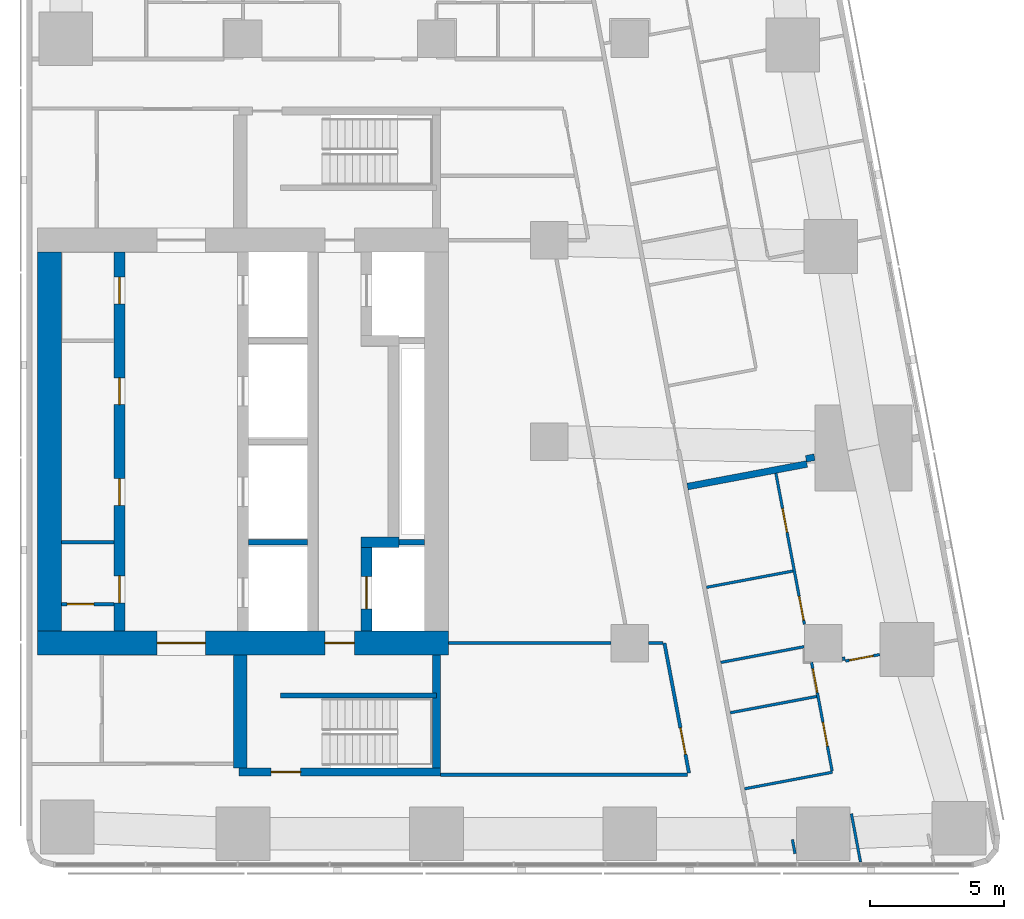
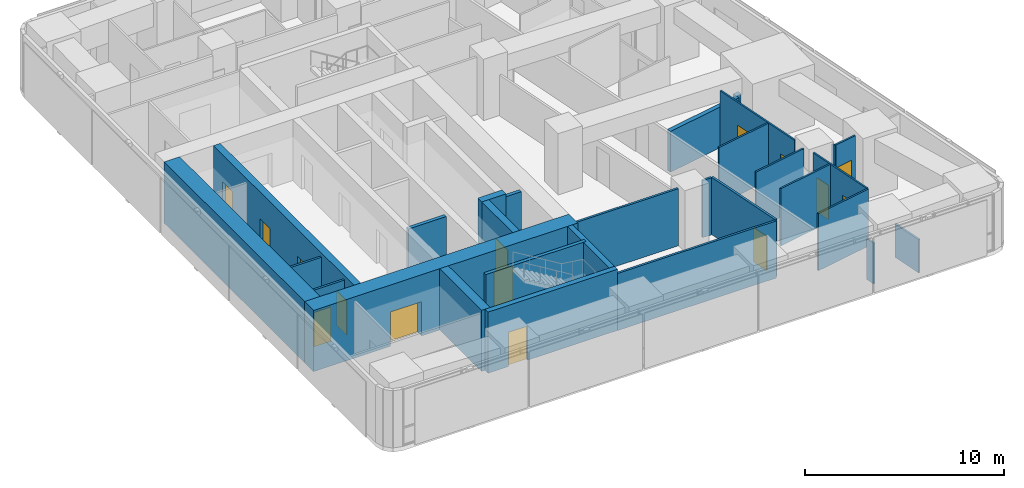
# One storey, part 5 of 10: 29 walls, 15 doors, 15 openings.
"""IFC4 building model written with IfcOpenShell, lengths in metres."""

from ifc_helpers import new_model, si_unit, direction, frame, frame_2d, origin, place, context, subcontext, project, spatial, rectangle, extrude, material, layer, layer_set, type_object, element, fill, save


model = new_model("IFC4")

# Units and contexts
model_context = context("Model", 3, precision=1e-05, world=origin(), true_north=direction((0.0, 1.0)))
body_context = subcontext(model_context, "Body", "Model", "MODEL_VIEW")
ifc_project = project(units=[si_unit("LENGTHUNIT", "METRE"), si_unit("AREAUNIT", "SQUARE_METRE"), si_unit("VOLUMEUNIT", "CUBIC_METRE"), si_unit("PLANEANGLEUNIT", "RADIAN"), si_unit("MASSUNIT", "GRAM", prefix="KILO")], contexts=[model_context])

# Site, building, storey
site_placement = place(None, origin())
site = spatial("IfcSite", under=ifc_project, at=site_placement, CompositionType="ELEMENT")
building_placement = place(site_placement, origin())
building = spatial("IfcBuilding", under=site, at=building_placement, Name="Sheger Commons Tower", CompositionType="ELEMENT")
storey_placement = place(building_placement, frame((0.0, 0.0, 285.35009765625)))
storey = spatial("IfcBuildingStorey", under=building, at=storey_placement, Name="L73", CompositionType="ELEMENT", Elevation=285.35009765625)

# Wall, openings, doors
ifc_material_1 = material(Name="Concrete C50/60", Category="concrete")
ifc_layer_1 = layer(ifc_material_1, 0.39990234375)
ifc_layer_set_1 = layer_set([ifc_layer_1], Name="CORE INNER WALL 400")
wall_type_1 = type_object("IfcWallType", Name="CORE INNER WALL 400", PredefinedType="SHEAR", material=ifc_layer_set_1)
wall_1_placement = place(storey_placement, frame((17.0, 15.449951171875, 0.0), z_axis=(0.0, 0.0, 1.0), x_axis=(0.0, 1.0, 0.0)))
wall_1 = element("IfcWall", 1, at=wall_1_placement, inside=storey, type_object=wall_type_1, Name="Core inner wall A L73", PredefinedType="SHEAR", context=body_context, shape_type="SweptSolid", body=[
    extrude(rectangle(XDim=14.10009765625, YDim=0.39990234375, at=frame_2d((7.050048828125, 0.0))), origin(), (0.0, 0.0, 1.0), 3.75),
])
opening_1_placement = place(wall_1_placement, frame((1.050048828125, 0.0, 0.0)))
opening_1 = element("IfcOpeningElement", 2, at=opening_1_placement, cuts=wall_1, Name="Opening D4", PredefinedType="OPENING", context=body_context, shape_type="SweptSolid", body=[
    extrude(rectangle(XDim=1.0, YDim=2.10009765625, at=frame_2d((0.5, 1.050048828125))), frame((0.0, 0.2099609375, 0.0), z_axis=(0.0, -1.0, 0.0), x_axis=(1.0, 0.0, 0.0)), (0.0, 0.0, 1.0), 0.419921875),
])
opening_2_placement = place(wall_1_placement, frame((4.675048828125, 0.0, 0.0)))
opening_2 = element("IfcOpeningElement", 3, at=opening_2_placement, cuts=wall_1, Name="Opening D4", PredefinedType="OPENING", context=body_context, shape_type="SweptSolid", body=[
    extrude(rectangle(XDim=1.0, YDim=2.10009765625, at=frame_2d((0.5, 1.050048828125))), frame((0.0, 0.2099609375, 0.0), z_axis=(0.0, -1.0, 0.0), x_axis=(1.0, 0.0, 0.0)), (0.0, 0.0, 1.0), 0.419921875),
])
opening_3_placement = place(wall_1_placement, frame((8.425048828125, 0.0, 0.0)))
opening_3 = element("IfcOpeningElement", 4, at=opening_3_placement, cuts=wall_1, Name="Opening D4", PredefinedType="OPENING", context=body_context, shape_type="SweptSolid", body=[
    extrude(rectangle(XDim=1.0, YDim=2.10009765625, at=frame_2d((0.5, 1.050048828125))), frame((0.0, 0.2099609375, 0.0), z_axis=(0.0, -1.0, 0.0), x_axis=(1.0, 0.0, 0.0)), (0.0, 0.0, 1.0), 0.419921875),
])
opening_4_placement = place(wall_1_placement, frame((12.175048828125, 0.0, 0.0)))
opening_4 = element("IfcOpeningElement", 5, at=opening_4_placement, cuts=wall_1, Name="Opening D4", PredefinedType="OPENING", context=body_context, shape_type="SweptSolid", body=[
    extrude(rectangle(XDim=1.0, YDim=2.10009765625, at=frame_2d((0.5, 1.050048828125))), frame((0.0, 0.2099609375, 0.0), z_axis=(0.0, -1.0, 0.0), x_axis=(1.0, 0.0, 0.0)), (0.0, 0.0, 1.0), 0.419921875),
])
ifc_material_2 = material(Name="Steel door set, fire rated", Category="steel")
door_type_1 = type_object("IfcDoorType", Name="SERVICE DOOR 1000x2100", OperationType="NOTDEFINED", PredefinedType="DOOR", material=ifc_material_2)
door_1_placement = place(opening_1_placement, origin())
door_1 = element("IfcDoor", 6, at=door_1_placement, inside=storey, type_object=door_type_1, Name="IT and telecom room door", OperationType="SINGLE_SWING_LEFT", OverallHeight=2.10009765625, OverallWidth=1.0, PredefinedType="DOOR", context=body_context, shape_type="SweptSolid", body=[
    extrude(rectangle(XDim=1.0, YDim=2.10009765625, at=frame_2d((0.5, 1.050048828125))), frame((0.0, 0.02490234375, 0.0), z_axis=(0.0, -1.0, 0.0), x_axis=(1.0, 0.0, 0.0)), (0.0, 0.0, 1.0), 0.050048828125),
])
fill(opening_1, door_1)
door_2_placement = place(opening_2_placement, origin())
door_2 = element("IfcDoor", 7, at=door_2_placement, inside=storey, type_object=door_type_1, Name="Recycling store door", OperationType="SINGLE_SWING_LEFT", OverallHeight=2.10009765625, OverallWidth=1.0, PredefinedType="DOOR", context=body_context, shape_type="SweptSolid", body=[
    extrude(rectangle(XDim=1.0, YDim=2.10009765625, at=frame_2d((0.5, 1.050048828125))), frame((0.0, 0.02490234375, 0.0), z_axis=(0.0, -1.0, 0.0), x_axis=(1.0, 0.0, 0.0)), (0.0, 0.0, 1.0), 0.050048828125),
])
fill(opening_2, door_2)
door_3_placement = place(opening_3_placement, origin())
door_3 = element("IfcDoor", 8, at=door_3_placement, inside=storey, type_object=door_type_1, Name="Recycling store door", OperationType="SINGLE_SWING_RIGHT", OverallHeight=2.10009765625, OverallWidth=1.0, PredefinedType="DOOR", context=body_context, shape_type="SweptSolid", body=[
    extrude(rectangle(XDim=1.0, YDim=2.10009765625, at=frame_2d((0.5, 1.050048828125))), frame((0.0, 0.02490234375, 0.0), z_axis=(0.0, -1.0, 0.0), x_axis=(1.0, 0.0, 0.0)), (0.0, 0.0, 1.0), 0.050048828125),
])
fill(opening_3, door_3)
door_4_placement = place(opening_4_placement, origin())
door_4 = element("IfcDoor", 9, at=door_4_placement, inside=storey, type_object=door_type_1, Name="Staff WC door", OperationType="SINGLE_SWING_RIGHT", OverallHeight=2.10009765625, OverallWidth=1.0, PredefinedType="DOOR", context=body_context, shape_type="SweptSolid", body=[
    extrude(rectangle(XDim=1.0, YDim=2.10009765625, at=frame_2d((0.5, 1.050048828125))), frame((0.0, 0.02490234375, 0.0), z_axis=(0.0, -1.0, 0.0), x_axis=(1.0, 0.0, 0.0)), (0.0, 0.0, 1.0), 0.050048828125),
])
fill(opening_4, door_4)

# Wall, opening, door
wall_2_placement = place(storey_placement, frame((26.199951171875, 15.449951171875, 0.0), z_axis=(0.0, 0.0, 1.0), x_axis=(0.0, 1.0, 0.0)))
wall_2 = element("IfcWall", 10, at=wall_2_placement, inside=storey, type_object=wall_type_1, Name="Core inner wall F L73", PredefinedType="SHEAR", context=body_context, shape_type="SweptSolid", body=[
    extrude(rectangle(XDim=3.10009765625, YDim=0.39990234375, at=frame_2d((1.550048828125, 0.0))), origin(), (0.0, 0.0, 1.0), 3.75),
])
opening_5_placement = place(wall_2_placement, frame((0.824951171875, 0.0, 0.0)))
opening_5 = element("IfcOpeningElement", 11, at=opening_5_placement, cuts=wall_2, Name="Opening LD2", PredefinedType="OPENING", context=body_context, shape_type="SweptSolid", body=[
    extrude(rectangle(XDim=1.199951171875, YDim=2.10009765625, at=frame_2d((0.60009765625, 1.050048828125))), frame((0.0, 0.2099609375, 0.0), z_axis=(0.0, -1.0, 0.0), x_axis=(1.0, 0.0, 0.0)), (0.0, 0.0, 1.0), 0.419921875),
])
ifc_material_3 = material(Name="Steel door set, fire rated", Category="steel")
door_type_2 = type_object("IfcDoorType", Name="FIREFIGHTING LIFT LANDING DOOR 1200x2100", OperationType="DOUBLE_DOOR_SLIDING", PredefinedType="DOOR", material=ifc_material_3)
door_5_placement = place(opening_5_placement, origin())
door_5 = element("IfcDoor", 12, at=door_5_placement, inside=storey, type_object=door_type_2, Name="Lift FL1 landing door", OperationType="DOUBLE_DOOR_SLIDING", OverallHeight=2.10009765625, OverallWidth=1.199951171875, PredefinedType="DOOR", context=body_context, shape_type="SweptSolid", body=[
    extrude(rectangle(XDim=1.199951171875, YDim=2.10009765625, at=frame_2d((0.60009765625, 1.050048828125))), frame((0.0, 0.02490234375, 0.0), z_axis=(0.0, -1.0, 0.0), x_axis=(1.0, 0.0, 0.0)), (0.0, 0.0, 1.0), 0.050048828125),
])
fill(opening_5, door_5)

# Wall
wall_3_placement = place(storey_placement, frame((26.0, 18.75, 0.0), z_axis=(0.0, 0.0, 1.0), x_axis=(1.0, 0.0, 0.0)))
element("IfcWall", 13, at=wall_3_placement, inside=storey, type_object=wall_type_1, Name="Core inner wall F south return L73", PredefinedType="SHEAR", context=body_context, shape_type="SweptSolid", body=[
    extrude(rectangle(XDim=1.39990234375, YDim=0.39990234375, at=frame_2d((0.699951171875, 0.0))), origin(), (0.0, 0.0, 1.0), 3.75),
])

# Wall, openings, doors
ifc_material_4 = material(Name="Concrete C50/60", Category="concrete")
ifc_layer_2 = layer(ifc_material_4, 0.89990234375)
ifc_layer_set_2 = layer_set([ifc_layer_2], Name="CORE WALL 900")
wall_type_2 = type_object("IfcWallType", Name="CORE WALL 900", PredefinedType="SHEAR", material=ifc_layer_set_2)
wall_4_placement = place(storey_placement, frame((13.949951171875, 15.0, 0.0), z_axis=(0.0, 0.0, 1.0), x_axis=(1.0, 0.0, 0.0)))
wall_4 = element("IfcWall", 14, at=wall_4_placement, inside=storey, type_object=wall_type_2, Name="Core wall south L73", PredefinedType="SHEAR", context=body_context, shape_type="SweptSolid", body=[
    extrude(rectangle(XDim=15.300048828125, YDim=0.89990234375, at=frame_2d((7.64990234375, 0.0))), origin(), (0.0, 0.0, 1.0), 3.75),
])
opening_6_placement = place(wall_4_placement, frame((4.449951171875, 0.0, 0.0)))
opening_6 = element("IfcOpeningElement", 15, at=opening_6_placement, cuts=wall_4, Name="Opening D6", PredefinedType="OPENING", context=body_context, shape_type="SweptSolid", body=[
    extrude(rectangle(XDim=1.800048828125, YDim=2.10009765625, at=frame_2d((0.89990234375, 1.050048828125))), frame((0.0, 0.4599609375, 0.0), z_axis=(0.0, -1.0, 0.0), x_axis=(1.0, 0.0, 0.0)), (0.0, 0.0, 1.0), 0.919921875),
])
opening_7_placement = place(wall_4_placement, frame((10.699951171875, 0.0, 0.0)))
opening_7 = element("IfcOpeningElement", 16, at=opening_7_placement, cuts=wall_4, Name="Opening D5", PredefinedType="OPENING", context=body_context, shape_type="SweptSolid", body=[
    extrude(rectangle(XDim=1.10009765625, YDim=2.10009765625, at=frame_2d((0.550048828125, 1.050048828125))), frame((0.0, 0.4599609375, 0.0), z_axis=(0.0, -1.0, 0.0), x_axis=(1.0, 0.0, 0.0)), (0.0, 0.0, 1.0), 0.919921875),
])
ifc_material_5 = material(Name="Steel door set, fire rated", Category="steel")
door_type_3 = type_object("IfcDoorType", Name="LOBBY DOUBLE DOOR 1800x2100", OperationType="DOUBLE_DOOR_SINGLE_SWING", PredefinedType="DOOR", material=ifc_material_5)
door_6_placement = place(opening_6_placement, origin())
door_6 = element("IfcDoor", 17, at=door_6_placement, inside=storey, type_object=door_type_3, Name="Lift lobby door", OperationType="DOUBLE_DOOR_SINGLE_SWING", OverallHeight=2.10009765625, OverallWidth=1.800048828125, PredefinedType="DOOR", context=body_context, shape_type="SweptSolid", body=[
    extrude(rectangle(XDim=1.800048828125, YDim=2.10009765625, at=frame_2d((0.89990234375, 1.050048828125))), frame((0.0, 0.02490234375, 0.0), z_axis=(0.0, -1.0, 0.0), x_axis=(1.0, 0.0, 0.0)), (0.0, 0.0, 1.0), 0.050048828125),
])
fill(opening_6, door_6)
ifc_material_6 = material(Name="Steel door set, fire rated", Category="steel")
door_type_4 = type_object("IfcDoorType", Name="STAIR DOOR 1100x2100", OperationType="NOTDEFINED", PredefinedType="DOOR", material=ifc_material_6)
door_7_placement = place(opening_7_placement, origin())
door_7 = element("IfcDoor", 18, at=door_7_placement, inside=storey, type_object=door_type_4, Name="Fire-fighting lobby door", OperationType="SINGLE_SWING_RIGHT", OverallHeight=2.10009765625, OverallWidth=1.10009765625, PredefinedType="DOOR", context=body_context, shape_type="SweptSolid", body=[
    extrude(rectangle(XDim=1.10009765625, YDim=2.10009765625, at=frame_2d((0.550048828125, 1.050048828125))), frame((0.0, 0.02490234375, 0.0), z_axis=(0.0, -1.0, 0.0), x_axis=(1.0, 0.0, 0.0)), (0.0, 0.0, 1.0), 0.050048828125),
])
fill(opening_7, door_7)

# Walls
wall_5_placement = place(storey_placement, frame((14.39990234375, 15.449951171875, 0.0), z_axis=(0.0, 0.0, 1.0), x_axis=(0.0, 1.0, 0.0)))
element("IfcWall", 19, at=wall_5_placement, inside=storey, type_object=wall_type_2, Name="Core wall west L73", PredefinedType="SHEAR", context=body_context, shape_type="SweptSolid", body=[
    extrude(rectangle(XDim=14.10009765625, YDim=0.89990234375, at=frame_2d((7.050048828125, 0.0))), origin(), (0.0, 0.0, 1.0), 3.75),
])
ifc_material_7 = material(Name="Dense concrete block masonry, plastered both sides (separating wall between flats)", Category="masonry")
ifc_layer_3 = layer(ifc_material_7, 0.25)
ifc_layer_set_3 = layer_set([ifc_layer_3], Name="DEMISING WALL 250")
wall_type_3 = type_object("IfcWallType", Name="DEMISING WALL 250", PredefinedType="SOLIDWALL", material=ifc_layer_set_3)
wall_6_placement = place(storey_placement, frame((42.873046875, 21.91796875, 0.0), z_axis=(0.0, 0.0, 1.0), x_axis=(-0.982431406936, -0.186624035603, 0.0)))
element("IfcWall", 20, at=wall_6_placement, inside=storey, type_object=wall_type_3, Name="Demising wall L73", PredefinedType="SOLIDWALL", context=body_context, shape_type="SweptSolid", body=[
    extrude(rectangle(XDim=0.32177734375, YDim=0.25, at=frame_2d((0.160888671875, 0.0))), origin(), (0.0, 0.0, 1.0), 2.5),
])
wall_7_placement = place(storey_placement, frame((42.593017578125, 21.6650390625, 0.0), z_axis=(0.0, 0.0, 1.0), x_axis=(-0.982612837616, -0.185666398014, 0.0)))
element("IfcWall", 21, at=wall_7_placement, inside=storey, type_object=wall_type_3, Name="Demising wall L73", PredefinedType="SOLIDWALL", context=body_context, shape_type="SweptSolid", body=[
    extrude(rectangle(XDim=4.524658203125, YDim=0.25, at=frame_2d((2.26220703125, 0.0))), origin(), (0.0, 0.0, 1.0), 2.5),
])
ifc_material_8 = material(Name="Gypsum board on steel studs", Category="steel")
ifc_layer_4 = layer(ifc_material_8, 0.10009765625)
ifc_layer_set_4 = layer_set([ifc_layer_4], Name="PARTITION 100")
wall_type_4 = type_object("IfcWallType", Name="PARTITION 100", PredefinedType="PARTITIONING", material=ifc_layer_set_4)
wall_8_placement = place(storey_placement, frame((44.248046875, 8.64599609375, 0.0), z_axis=(0.0, 0.0, 1.0), x_axis=(0.185417594585, -0.982659816833, 0.0)))
element("IfcWall", 22, at=wall_8_placement, inside=storey, type_object=wall_type_4, Name="Partition L73", PredefinedType="PARTITIONING", context=body_context, shape_type="SweptSolid", body=[
    extrude(rectangle(XDim=1.82763671875, YDim=0.10009765625, at=frame_2d((0.913818359375, 0.0))), origin(), (0.0, 0.0, 1.0), 2.0498046875),
])
wall_9_placement = place(storey_placement, frame((42.15087890625, 7.159912109375, 0.0), z_axis=(0.0, 0.0, 1.0), x_axis=(-0.185366164644, 0.982669519729, 0.0)))
element("IfcWall", 23, at=wall_9_placement, inside=storey, type_object=wall_type_4, Name="Partition L73", PredefinedType="PARTITIONING", context=body_context, shape_type="SweptSolid", body=[
    extrude(rectangle(XDim=0.533447265625, YDim=0.10009765625, at=frame_2d((0.2666015625, 0.0))), origin(), (0.0, 0.0, 1.0), 2.5),
])

# Wall, opening, door
wall_10_placement = place(storey_placement, frame((45.303955078125, 14.572021484375, 0.0), z_axis=(0.0, 0.0, 1.0), x_axis=(-0.982602741717, -0.185719821156, 0.0)))
wall_10 = element("IfcWall", 24, at=wall_10_placement, inside=storey, type_object=wall_type_4, Name="Partition L73", PredefinedType="PARTITIONING", context=body_context, shape_type="SweptSolid", body=[
    extrude(rectangle(XDim=1.29736328125, YDim=0.10009765625, at=frame_2d((0.648681640625, 0.0))), origin(), (0.0, 0.0, 1.0), 3.5),
])
opening_8_placement = place(wall_10_placement, frame((0.248046875, 0.0, 0.0)))
opening_8 = element("IfcOpeningElement", 25, at=opening_8_placement, cuts=wall_10, Name="Opening D2", PredefinedType="OPENING", context=body_context, shape_type="SweptSolid", body=[
    extrude(rectangle(XDim=0.89990234375, YDim=2.10009765625, at=frame_2d((0.449951171875, 1.050048828125))), frame((0.0, 0.06005859375, 0.0), z_axis=(0.0, -1.0, 0.0), x_axis=(1.0, 0.0, 0.0)), (0.0, 0.0, 1.0), 0.1201171875),
])
ifc_material_9 = material(Name="Timber door set", Category="wood")
door_type_5 = type_object("IfcDoorType", Name="INTERNAL DOOR 900x2100", OperationType="NOTDEFINED", PredefinedType="DOOR", material=ifc_material_9)
door_8_placement = place(opening_8_placement, origin())
door_8 = element("IfcDoor", 26, at=door_8_placement, inside=storey, type_object=door_type_5, Name="Main bedroom door", OperationType="SINGLE_SWING_LEFT", OverallHeight=2.10009765625, OverallWidth=0.89990234375, PredefinedType="DOOR", context=body_context, shape_type="SweptSolid", body=[
    extrude(rectangle(XDim=0.89990234375, YDim=2.10009765625, at=frame_2d((0.449951171875, 1.050048828125))), frame((0.0, 0.02490234375, 0.0), z_axis=(0.0, -1.0, 0.0), x_axis=(1.0, 0.0, 0.0)), (0.0, 0.0, 1.0), 0.050048828125),
])
fill(opening_8, door_8)

# Walls
wall_11_placement = place(storey_placement, frame((43.948974609375, 14.485107421875, 0.0), z_axis=(0.0, 0.0, 1.0), x_axis=(0.188651210932, -0.982044154106, 0.0)))
element("IfcWall", 27, at=wall_11_placement, inside=storey, type_object=wall_type_4, Name="Partition L73", PredefinedType="PARTITIONING", context=body_context, shape_type="SweptSolid", body=[
    extrude(rectangle(XDim=0.138427734375, YDim=0.10009765625, at=frame_2d((0.0693359375, 0.0))), origin(), (0.0, 0.0, 1.0), 3.5),
])
wall_12_placement = place(storey_placement, frame((42.072998046875, 17.681884765625, 0.0), z_axis=(0.0, 0.0, 1.0), x_axis=(-0.982620626894, -0.185625169636, 0.0)))
element("IfcWall", 28, at=wall_12_placement, inside=storey, type_object=wall_type_4, Name="Partition L73", PredefinedType="PARTITIONING", context=body_context, shape_type="SweptSolid", body=[
    extrude(rectangle(XDim=3.27490234375, YDim=0.10009765625, at=frame_2d((1.637451171875, 0.0))), origin(), (0.0, 0.0, 1.0), 3.5),
])
wall_13_placement = place(storey_placement, frame((42.489990234375, 14.865966796875, 0.0), z_axis=(0.0, 0.0, 1.0), x_axis=(-0.982621285075, -0.185621685472, 0.0)))
element("IfcWall", 29, at=wall_13_placement, inside=storey, type_object=wall_type_4, Name="Partition L73", PredefinedType="PARTITIONING", context=body_context, shape_type="SweptSolid", body=[
    extrude(rectangle(XDim=3.161865234375, YDim=0.10009765625, at=frame_2d((1.5810546875, 0.0))), origin(), (0.0, 0.0, 1.0), 3.5),
])
wall_14_placement = place(storey_placement, frame((42.9560546875, 13.011962890625, 0.0), z_axis=(0.0, 0.0, 1.0), x_axis=(-0.982630897129, -0.185570795135, 0.0)))
element("IfcWall", 30, at=wall_14_placement, inside=storey, type_object=wall_type_4, Name="Partition L73", PredefinedType="PARTITIONING", context=body_context, shape_type="SweptSolid", body=[
    extrude(rectangle(XDim=3.27587890625, YDim=0.10009765625, at=frame_2d((1.637939453125, 0.0))), origin(), (0.0, 0.0, 1.0), 3.5),
])
wall_15_placement = place(storey_placement, frame((43.5390625, 10.19189453125, 0.0), z_axis=(0.0, 0.0, 1.0), x_axis=(-0.982633623707, -0.185556356831, 0.0)))
element("IfcWall", 31, at=wall_15_placement, inside=storey, type_object=wall_type_4, Name="Partition L73", PredefinedType="PARTITIONING", context=body_context, shape_type="SweptSolid", body=[
    extrude(rectangle(XDim=3.324951171875, YDim=0.10009765625, at=frame_2d((1.66259765625, 0.0))), origin(), (0.0, 0.0, 1.0), 3.5),
])

# Wall, openings, doors
wall_16_placement = place(storey_placement, frame((41.43701171875, 21.319091796875, 0.0), z_axis=(0.0, 0.0, 1.0), x_axis=(0.185742368638, -0.982598479794, 0.0)))
wall_16 = element("IfcWall", 32, at=wall_16_placement, inside=storey, type_object=wall_type_4, Name="Partition L73", PredefinedType="PARTITIONING", context=body_context, shape_type="SweptSolid", body=[
    extrude(rectangle(XDim=5.7177734375, YDim=0.10009765625, at=frame_2d((2.85888671875, 0.0))), origin(), (0.0, 0.0, 1.0), 3.5),
])
opening_9_placement = place(wall_16_placement, frame((1.3330078125, 0.0, 0.0)))
opening_9 = element("IfcOpeningElement", 33, at=opening_9_placement, cuts=wall_16, Name="Opening D2", PredefinedType="OPENING", context=body_context, shape_type="SweptSolid", body=[
    extrude(rectangle(XDim=0.89990234375, YDim=2.10009765625, at=frame_2d((0.449951171875, 1.050048828125))), frame((0.0, 0.06005859375, 0.0), z_axis=(0.0, -1.0, 0.0), x_axis=(1.0, 0.0, 0.0)), (0.0, 0.0, 1.0), 0.1201171875),
])
opening_10_placement = place(wall_16_placement, frame((4.6640625, 0.0, 0.0)))
opening_10 = element("IfcOpeningElement", 34, at=opening_10_placement, cuts=wall_16, Name="Opening D2", PredefinedType="OPENING", context=body_context, shape_type="SweptSolid", body=[
    extrude(rectangle(XDim=0.89990234375, YDim=2.10009765625, at=frame_2d((0.449951171875, 1.050048828125))), frame((0.0, 0.06005859375, 0.0), z_axis=(0.0, -1.0, 0.0), x_axis=(1.0, 0.0, 0.0)), (0.0, 0.0, 1.0), 0.1201171875),
])
door_9_placement = place(opening_9_placement, origin())
door_9 = element("IfcDoor", 35, at=door_9_placement, inside=storey, type_object=door_type_5, Name="En-suite door", OperationType="SINGLE_SWING_RIGHT", OverallHeight=2.10009765625, OverallWidth=0.89990234375, PredefinedType="DOOR", context=body_context, shape_type="SweptSolid", body=[
    extrude(rectangle(XDim=0.89990234375, YDim=2.10009765625, at=frame_2d((0.449951171875, 1.050048828125))), frame((0.0, 0.02490234375, 0.0), z_axis=(0.0, -1.0, 0.0), x_axis=(1.0, 0.0, 0.0)), (0.0, 0.0, 1.0), 0.050048828125),
])
fill(opening_9, door_9)
door_10_placement = place(opening_10_placement, origin())
door_10 = element("IfcDoor", 36, at=door_10_placement, inside=storey, type_object=door_type_5, Name="Dressing room door", OperationType="SINGLE_SWING_LEFT", OverallHeight=2.10009765625, OverallWidth=0.89990234375, PredefinedType="DOOR", context=body_context, shape_type="SweptSolid", body=[
    extrude(rectangle(XDim=0.89990234375, YDim=2.10009765625, at=frame_2d((0.449951171875, 1.050048828125))), frame((0.0, 0.02490234375, 0.0), z_axis=(0.0, -1.0, 0.0), x_axis=(1.0, 0.0, 0.0)), (0.0, 0.0, 1.0), 0.050048828125),
])
fill(opening_10, door_10)

wall_17_placement = place(storey_placement, frame((42.764892578125, 14.2900390625, 0.0), z_axis=(0.0, 0.0, 1.0), x_axis=(0.185679870644, -0.982610291844, 0.0)))
wall_17 = element("IfcWall", 37, at=wall_17_placement, inside=storey, type_object=wall_type_4, Name="Partition L73", PredefinedType="PARTITIONING", context=body_context, shape_type="SweptSolid", body=[
    extrude(rectangle(XDim=4.120849609375, YDim=0.10009765625, at=frame_2d((2.060546875, 0.0))), origin(), (0.0, 0.0, 1.0), 3.5),
])
opening_11_placement = place(wall_17_placement, frame((0.25, 0.0, 0.0)))
opening_11 = element("IfcOpeningElement", 38, at=opening_11_placement, cuts=wall_17, Name="Opening D2", PredefinedType="OPENING", context=body_context, shape_type="SweptSolid", body=[
    extrude(rectangle(XDim=0.89990234375, YDim=2.10009765625, at=frame_2d((0.449951171875, 1.050048828125))), frame((0.0, 0.06005859375, 0.0), z_axis=(0.0, -1.0, 0.0), x_axis=(1.0, 0.0, 0.0)), (0.0, 0.0, 1.0), 0.1201171875),
])
opening_12_placement = place(wall_17_placement, frame((2.280029296875, 0.0, 0.0)))
opening_12 = element("IfcOpeningElement", 39, at=opening_12_placement, cuts=wall_17, Name="Opening D2", PredefinedType="OPENING", context=body_context, shape_type="SweptSolid", body=[
    extrude(rectangle(XDim=0.89990234375, YDim=2.10009765625, at=frame_2d((0.449951171875, 1.050048828125))), frame((0.0, 0.06005859375, 0.0), z_axis=(0.0, -1.0, 0.0), x_axis=(1.0, 0.0, 0.0)), (0.0, 0.0, 1.0), 0.1201171875),
])
door_11_placement = place(opening_11_placement, origin())
door_11 = element("IfcDoor", 40, at=door_11_placement, inside=storey, type_object=door_type_5, Name="Bathroom door", OperationType="SINGLE_SWING_RIGHT", OverallHeight=2.10009765625, OverallWidth=0.89990234375, PredefinedType="DOOR", context=body_context, shape_type="SweptSolid", body=[
    extrude(rectangle(XDim=0.89990234375, YDim=2.10009765625, at=frame_2d((0.449951171875, 1.050048828125))), frame((0.0, 0.02490234375, 0.0), z_axis=(0.0, -1.0, 0.0), x_axis=(1.0, 0.0, 0.0)), (0.0, 0.0, 1.0), 0.050048828125),
])
fill(opening_11, door_11)
door_12_placement = place(opening_12_placement, origin())
door_12 = element("IfcDoor", 41, at=door_12_placement, inside=storey, type_object=door_type_5, Name="Kitchen door", OperationType="SINGLE_SWING_LEFT", OverallHeight=2.10009765625, OverallWidth=0.89990234375, PredefinedType="DOOR", context=body_context, shape_type="SweptSolid", body=[
    extrude(rectangle(XDim=0.89990234375, YDim=2.10009765625, at=frame_2d((0.449951171875, 1.050048828125))), frame((0.0, 0.02490234375, 0.0), z_axis=(0.0, -1.0, 0.0), x_axis=(1.0, 0.0, 0.0)), (0.0, 0.0, 1.0), 0.050048828125),
])
fill(opening_12, door_12)

# Wall
ifc_material_10 = material(Name="Gypsum board on steel studs, two layers each side, fire rated", Category="steel")
ifc_layer_5 = layer(ifc_material_10, 0.125)
ifc_layer_set_5 = layer_set([ifc_layer_5], Name="SERVICE WALL 125")
wall_type_5 = type_object("IfcWallType", Name="SERVICE WALL 125", PredefinedType="PARTITIONING", material=ifc_layer_set_5)
wall_18_placement = place(storey_placement, frame((28.949951171875, 10.10009765625, 0.0), z_axis=(0.0, 0.0, 1.0), x_axis=(1.0, 0.0, 0.0)))
element("IfcWall", 42, at=wall_18_placement, inside=storey, type_object=wall_type_5, Name="Service room wall L73", PredefinedType="PARTITIONING", context=body_context, shape_type="SweptSolid", body=[
    extrude(rectangle(XDim=9.18798828125, YDim=0.125, at=frame_2d((4.593994140625, 0.0))), origin(), (0.0, 0.0, 1.0), 3.5),
])

# Wall, opening, door
wall_19_placement = place(storey_placement, frame((38.201904296875, 10.1630859375, 0.0), z_axis=(0.0, 0.0, 1.0), x_axis=(-0.185641892853, 0.982617467593, 0.0)))
wall_19 = element("IfcWall", 43, at=wall_19_placement, inside=storey, type_object=wall_type_5, Name="Service room wall L73", PredefinedType="PARTITIONING", context=body_context, shape_type="SweptSolid", body=[
    extrude(rectangle(XDim=4.92236328125, YDim=0.125, at=frame_2d((2.461181640625, 0.0))), origin(), (0.0, 0.0, 1.0), 3.5),
])
opening_13_placement = place(wall_19_placement, frame((0.7080078125, 0.0, 0.0)))
opening_13 = element("IfcOpeningElement", 44, at=opening_13_placement, cuts=wall_19, Name="Opening D4", PredefinedType="OPENING", context=body_context, shape_type="SweptSolid", body=[
    extrude(rectangle(XDim=1.0, YDim=2.10009765625, at=frame_2d((0.5, 1.050048828125))), frame((0.0, 0.072509765625, 0.0), z_axis=(0.0, -1.0, 0.0), x_axis=(1.0, 0.0, 0.0)), (0.0, 0.0, 1.0), 0.14501953125),
])
door_13_placement = place(opening_13_placement, origin())
door_13 = element("IfcDoor", 45, at=door_13_placement, inside=storey, type_object=door_type_1, Name="Parcel and delivery room door", OperationType="SINGLE_SWING_LEFT", OverallHeight=2.10009765625, OverallWidth=1.0, PredefinedType="DOOR", context=body_context, shape_type="SweptSolid", body=[
    extrude(rectangle(XDim=1.0, YDim=2.10009765625, at=frame_2d((0.5, 1.050048828125))), frame((0.0, 0.02490234375, 0.0), z_axis=(0.0, -1.0, 0.0), x_axis=(1.0, 0.0, 0.0)), (0.0, 0.0, 1.0), 0.050048828125),
])
fill(opening_13, door_13)

# Walls
wall_20_placement = place(storey_placement, frame((29.25, 15.0, 0.0), z_axis=(0.0, 0.0, 1.0), x_axis=(1.0, 0.0, 0.0)))
element("IfcWall", 46, at=wall_20_placement, inside=storey, type_object=wall_type_5, Name="Service room wall L73", PredefinedType="PARTITIONING", context=body_context, shape_type="SweptSolid", body=[
    extrude(rectangle(XDim=6.049072265625, YDim=0.125, at=frame_2d((3.0244140625, 0.0))), origin(), (0.0, 0.0, 1.0), 3.5),
])
wall_21_placement = place(storey_placement, frame((36.700927734375, 15.0, 0.0), z_axis=(0.0, 0.0, 1.0), x_axis=(1.0, 0.0, 0.0)))
element("IfcWall", 47, at=wall_21_placement, inside=storey, type_object=wall_type_5, Name="Service room wall L73", PredefinedType="PARTITIONING", context=body_context, shape_type="SweptSolid", body=[
    extrude(rectangle(XDim=0.526123046875, YDim=0.125, at=frame_2d((0.26318359375, 0.0))), origin(), (0.0, 0.0, 1.0), 3.5),
])

# Wall, opening, door
wall_22_placement = place(storey_placement, frame((14.85009765625, 16.449951171875, 0.0), z_axis=(0.0, 0.0, 1.0), x_axis=(1.0, 0.0, 0.0)))
wall_22 = element("IfcWall", 48, at=wall_22_placement, inside=storey, type_object=wall_type_5, Name="Service room wall L73", PredefinedType="PARTITIONING", context=body_context, shape_type="SweptSolid", body=[
    extrude(rectangle(XDim=1.949951171875, YDim=0.125, at=frame_2d((0.97509765625, 0.0))), origin(), (0.0, 0.0, 1.0), 3.5),
])
opening_14_placement = place(wall_22_placement, frame((0.199951171875, 0.0, 0.0)))
opening_14 = element("IfcOpeningElement", 49, at=opening_14_placement, cuts=wall_22, Name="Opening D4", PredefinedType="OPENING", context=body_context, shape_type="SweptSolid", body=[
    extrude(rectangle(XDim=1.0, YDim=2.10009765625, at=frame_2d((0.5, 1.050048828125))), frame((0.0, 0.072509765625, 0.0), z_axis=(0.0, -1.0, 0.0), x_axis=(1.0, 0.0, 0.0)), (0.0, 0.0, 1.0), 0.14501953125),
])
door_14_placement = place(opening_14_placement, origin())
door_14 = element("IfcDoor", 50, at=door_14_placement, inside=storey, type_object=door_type_1, Name="Electrical riser door", OperationType="SINGLE_SWING_RIGHT", OverallHeight=2.10009765625, OverallWidth=1.0, PredefinedType="DOOR", context=body_context, shape_type="SweptSolid", body=[
    extrude(rectangle(XDim=1.0, YDim=2.10009765625, at=frame_2d((0.5, 1.050048828125))), frame((0.0, 0.02490234375, 0.0), z_axis=(0.0, -1.0, 0.0), x_axis=(1.0, 0.0, 0.0)), (0.0, 0.0, 1.0), 0.050048828125),
])
fill(opening_14, door_14)

# Walls
wall_23_placement = place(storey_placement, frame((14.85009765625, 18.75, 0.0), z_axis=(0.0, 0.0, 1.0), x_axis=(1.0, 0.0, 0.0)))
element("IfcWall", 51, at=wall_23_placement, inside=storey, type_object=wall_type_5, Name="Service room wall L73", PredefinedType="PARTITIONING", context=body_context, shape_type="SweptSolid", body=[
    extrude(rectangle(XDim=1.949951171875, YDim=0.125, at=frame_2d((0.97509765625, 0.0))), origin(), (0.0, 0.0, 1.0), 3.5),
])
ifc_material_11 = material(Name="Hollow concrete block masonry", Category="masonry")
ifc_layer_6 = layer(ifc_material_11, 0.199951171875)
ifc_layer_set_6 = layer_set([ifc_layer_6], Name="SHAFT WALL 200")
wall_type_6 = type_object("IfcWallType", Name="SHAFT WALL 200", PredefinedType="SOLIDWALL", material=ifc_layer_set_6)
wall_24_placement = place(storey_placement, frame((21.800048828125, 18.75, 0.0), z_axis=(0.0, 0.0, 1.0), x_axis=(1.0, 0.0, 0.0)))
element("IfcWall", 52, at=wall_24_placement, inside=storey, type_object=wall_type_6, Name="Lift shaft wall L73", PredefinedType="SOLIDWALL", context=body_context, shape_type="SweptSolid", body=[
    extrude(rectangle(XDim=2.199951171875, YDim=0.199951171875, at=frame_2d((1.10009765625, 0.0))), origin(), (0.0, 0.0, 1.0), 3.5),
])
wall_25_placement = place(storey_placement, frame((27.39990234375, 18.75, 0.0), z_axis=(0.0, 0.0, 1.0), x_axis=(1.0, 0.0, 0.0)))
element("IfcWall", 53, at=wall_25_placement, inside=storey, type_object=wall_type_6, Name="Lift shaft wall L73", PredefinedType="SOLIDWALL", context=body_context, shape_type="SweptSolid", body=[
    extrude(rectangle(XDim=0.9501953125, YDim=0.199951171875, at=frame_2d((0.47509765625, 0.0))), origin(), (0.0, 0.0, 1.0), 3.5),
])

# Wall, opening, door
ifc_material_12 = material(Name="Concrete C50/60", Category="concrete")
ifc_layer_7 = layer(ifc_material_12, 0.300048828125)
ifc_layer_set_7 = layer_set([ifc_layer_7], Name="STAIR CORE WALL 300")
wall_type_7 = type_object("IfcWallType", Name="STAIR CORE WALL 300", PredefinedType="SHEAR", material=ifc_layer_set_7)
wall_26_placement = place(storey_placement, frame((21.449951171875, 10.199951171875, 0.0), z_axis=(0.0, 0.0, 1.0), x_axis=(1.0, 0.0, 0.0)))
wall_26 = element("IfcWall", 54, at=wall_26_placement, inside=storey, type_object=wall_type_7, Name="STW-L73-S1S", PredefinedType="SHEAR", context=body_context, shape_type="SweptSolid", body=[
    extrude(rectangle(XDim=7.5, YDim=0.300048828125, at=frame_2d((3.75, 0.0))), origin(), (0.0, 0.0, 1.0), 3.75),
])
opening_15_placement = place(wall_26_placement, frame((1.199951171875, 0.0, 0.0)))
opening_15 = element("IfcOpeningElement", 55, at=opening_15_placement, cuts=wall_26, Name="Opening D5", PredefinedType="OPENING", context=body_context, shape_type="SweptSolid", body=[
    extrude(rectangle(XDim=1.10009765625, YDim=2.10009765625, at=frame_2d((0.550048828125, 1.050048828125))), frame((0.0, 0.159912109375, 0.0), z_axis=(0.0, -1.0, 0.0), x_axis=(1.0, 0.0, 0.0)), (0.0, 0.0, 1.0), 0.320068359375),
])
door_15_placement = place(opening_15_placement, origin())
door_15 = element("IfcDoor", 56, at=door_15_placement, inside=storey, type_object=door_type_4, Name="Stair S1 door", OperationType="SINGLE_SWING_LEFT", OverallHeight=2.10009765625, OverallWidth=1.10009765625, PredefinedType="DOOR", context=body_context, shape_type="SweptSolid", body=[
    extrude(rectangle(XDim=1.10009765625, YDim=2.10009765625, at=frame_2d((0.550048828125, 1.050048828125))), frame((0.0, 0.02490234375, 0.0), z_axis=(0.0, -1.0, 0.0), x_axis=(1.0, 0.0, 0.0)), (0.0, 0.0, 1.0), 0.050048828125),
])
fill(opening_15, door_15)

# Walls
wall_27_placement = place(storey_placement, frame((28.800048828125, 10.35009765625, 0.0), z_axis=(0.0, 0.0, 1.0), x_axis=(0.0, 1.0, 0.0)))
element("IfcWall", 57, at=wall_27_placement, inside=storey, type_object=wall_type_7, Name="STW-L73-S1E", PredefinedType="SHEAR", context=body_context, shape_type="SweptSolid", body=[
    extrude(rectangle(XDim=4.199951171875, YDim=0.300048828125, at=frame_2d((2.10009765625, 0.0))), origin(), (0.0, 0.0, 1.0), 3.75),
])
ifc_material_13 = material(Name="Concrete C50/60", Category="concrete")
ifc_layer_8 = layer(ifc_material_13, 0.5)
ifc_layer_set_8 = layer_set([ifc_layer_8], Name="STAIR CORE WALL 500")
wall_type_8 = type_object("IfcWallType", Name="STAIR CORE WALL 500", PredefinedType="SHEAR", material=ifc_layer_set_8)
wall_28_placement = place(storey_placement, frame((21.5, 10.35009765625, 0.0), z_axis=(0.0, 0.0, 1.0), x_axis=(0.0, 1.0, 0.0)))
element("IfcWall", 58, at=wall_28_placement, inside=storey, type_object=wall_type_8, Name="STW-L73-S1W", PredefinedType="SHEAR", context=body_context, shape_type="SweptSolid", body=[
    extrude(rectangle(XDim=4.199951171875, YDim=0.5, at=frame_2d((2.10009765625, 0.0))), origin(), (0.0, 0.0, 1.0), 3.75),
])
ifc_material_14 = material(Name="Concrete C50/60", Category="concrete")
ifc_layer_9 = layer(ifc_material_14, 0.199951171875)
ifc_layer_set_9 = layer_set([ifc_layer_9], Name="STAIR SPINE WALL 200")
wall_type_9 = type_object("IfcWallType", Name="STAIR SPINE WALL 200", PredefinedType="SHEAR", material=ifc_layer_set_9)
wall_29_placement = place(storey_placement, frame((23.0, 13.050048828125, 0.0), z_axis=(0.0, 0.0, 1.0), x_axis=(1.0, 0.0, 0.0)))
element("IfcWall", 59, at=wall_29_placement, inside=storey, type_object=wall_type_9, Name="Stair spine wall L73", PredefinedType="SHEAR", context=body_context, shape_type="SweptSolid", body=[
    extrude(rectangle(XDim=5.800048828125, YDim=0.199951171875, at=frame_2d((2.89990234375, 0.0))), origin(), (0.0, 0.0, 1.0), 3.75),
])

save(model, "model.ifc")
